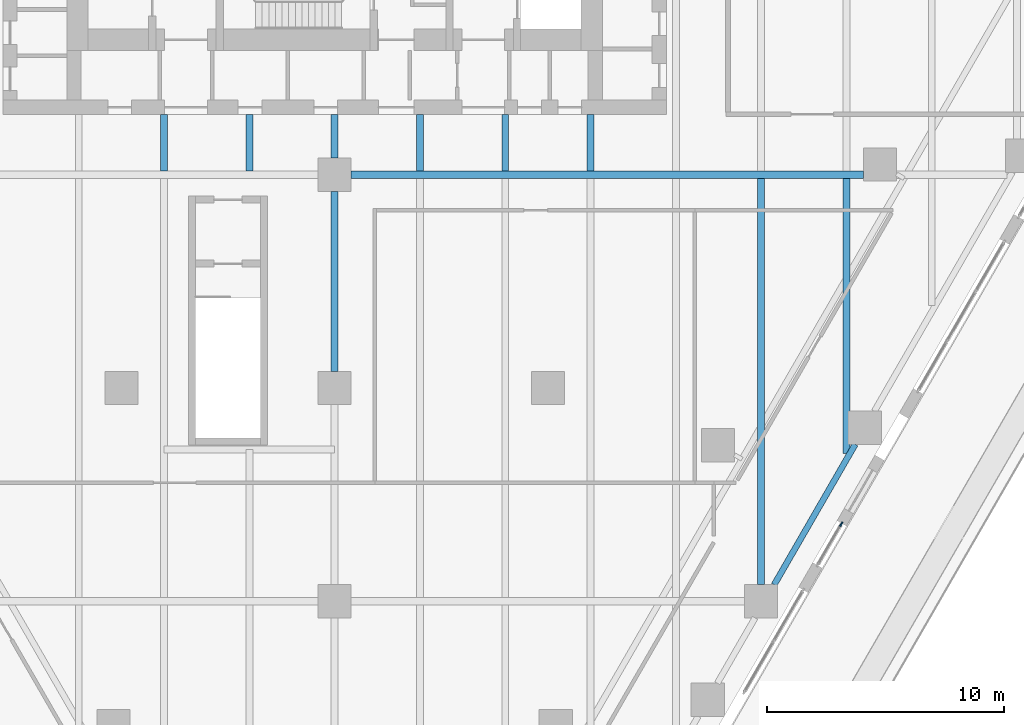
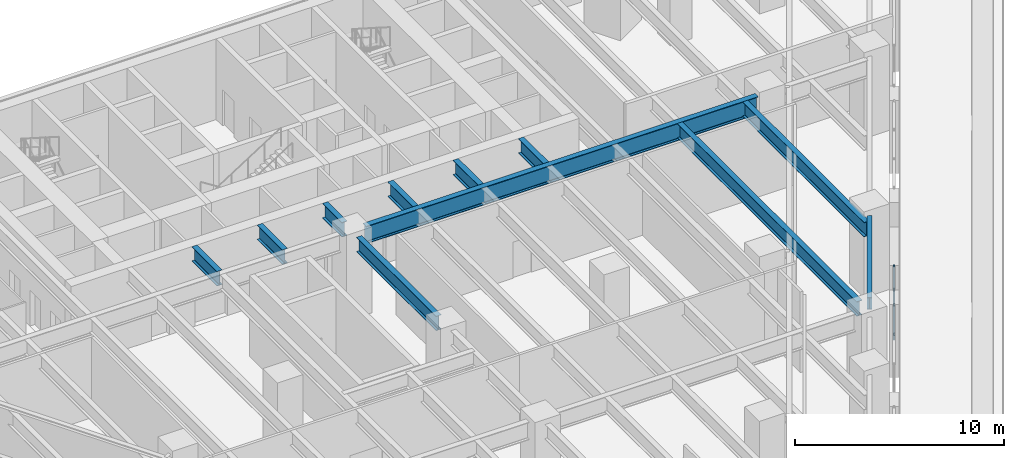
# One storey, part 10 of 31: 11 beams, 1 member, 1 element without a shape of its own.
"""IFC4 building model written with IfcOpenShell, lengths in metres."""

from ifc_helpers import new_model, si_unit, direction, frame, origin, origin_2d, place, context, subcontext, project, spatial, rectangle, i_section, extrude, material, material_profile, profile_set, type_object, element, aggregate, save


model = new_model("IFC4")

# Units and contexts
model_context = context("Model", 3, precision=1e-05, world=origin(), true_north=direction((0.0, 1.0)))
body_context = subcontext(model_context, "Body", "Model", "MODEL_VIEW")
ifc_project = project(units=[si_unit("LENGTHUNIT", "METRE"), si_unit("AREAUNIT", "SQUARE_METRE"), si_unit("VOLUMEUNIT", "CUBIC_METRE"), si_unit("PLANEANGLEUNIT", "RADIAN"), si_unit("MASSUNIT", "GRAM", prefix="KILO")], contexts=[model_context])

# Site, building, storey
site_placement = place(None, origin())
site = spatial("IfcSite", under=ifc_project, at=site_placement, CompositionType="ELEMENT")
building_placement = place(site_placement, origin())
building = spatial("IfcBuilding", under=site, at=building_placement, Name="Aloe Facet Convention Tower", CompositionType="ELEMENT")
storey_placement = place(building_placement, frame((0.0, 0.0, 25.0)))
storey = spatial("IfcBuildingStorey", under=building, at=storey_placement, Name="L04", CompositionType="ELEMENT", Elevation=25.0)

# Curtain wall, member
ifc_material_1 = material(Name="Aluminium, anodised", Category="aluminium")
curtain_wall_type = type_object("IfcCurtainWallType", Name="EV-CW-HALL", PredefinedType="USERDEFINED", material=ifc_material_1)
curtain_wall_placement = place(storey_placement, origin())
curtain_wall = element("IfcCurtainWall", 1, at=curtain_wall_placement, inside=storey, type_object=curtain_wall_type, Name="CW-L04-E10A", ObjectType="UNITISED HALL GLAZING", PredefinedType="USERDEFINED")
ifc_material_2 = material(Name="Aluminium, anodised", Category="aluminium")
ifc_material_profile_1 = material_profile(ifc_material_2, rectangle(XDim=0.06494140625, YDim=0.199951171875, at=origin_2d()), Name="AL 65x200")
ifc_profile_set_1 = profile_set([ifc_material_profile_1], Name="Aluminium, anodised")
member_type = type_object("IfcMemberType", Name="EV-MULL-HALL", PredefinedType="MULLION", material=ifc_profile_set_1)
member_placement = place(storey_placement, frame((101.384033203125, 102.2587890625, -0.25), z_axis=(0.0, 0.0, 1.0), x_axis=(-0.866025403645, 0.500000000242, 0.0)))
member = element("IfcMember", 2, at=member_placement, type_object=member_type, Name="CW-L04-E10A mullion 2", PredefinedType="MULLION", context=body_context, shape_type="SweptSolid", body=[
    extrude(rectangle(XDim=0.06494140625, YDim=0.199951171875, at=origin_2d()), origin(), (0.0, 0.0, 1.0), 4.262451171875),
])
aggregate(curtain_wall, [member])

# Beams
ifc_material_3 = material(Name="Steel S355", Category="steel")
ifc_material_profile_2 = material_profile(ifc_material_3, i_section(OverallWidth=0.305419921875, OverallDepth=1.02587890625, WebThickness=0.02001953125, FlangeThickness=0.031005859375, FilletRadius=0.030029296875, at=origin_2d()), Name="UB 1016x305x349")
ifc_profile_set_2 = profile_set([ifc_material_profile_2], Name="Steel S355")
beam_type_1 = type_object("IfcBeamType", Name="SF-B-UB1016x305x349", PredefinedType="BEAM", material=ifc_profile_set_2)
beam_1_placement = place(storey_placement, frame((80.699951171875, 117.0, 4.18701171875), z_axis=(1.0, 0.0, 0.0), x_axis=(0.0, 1.0, 0.0)))
element("IfcBeam", 3, at=beam_1_placement, inside=storey, type_object=beam_type_1, Name="Floor beam FB-L05-026", PredefinedType="BEAM", context=body_context, shape_type="SweptSolid", body=[
    extrude(i_section(OverallWidth=0.305419921875, OverallDepth=1.02587890625, WebThickness=0.02001953125, FlangeThickness=0.031005859375, FilletRadius=0.030029296875, at=origin_2d()), origin(), (0.0, 0.0, 1.0), 21.615966796875),
])
ifc_material_4 = material(Name="Steel S355", Category="steel")
ifc_material_profile_3 = material_profile(ifc_material_4, i_section(OverallWidth=0.25439453125, OverallDepth=0.6875, WebThickness=0.01318359375, FlangeThickness=0.02099609375, FilletRadius=0.01513671875, at=origin_2d()), Name="UB 686x254x152")
ifc_profile_set_3 = profile_set([ifc_material_profile_3], Name="Steel S355")
beam_type_2 = type_object("IfcBeamType", Name="SF-B-UB686x254x152", PredefinedType="BEAM", material=ifc_profile_set_3)
beam_2_placement = place(storey_placement, frame((101.970703125, 105.625, 4.356201171875), z_axis=(-0.499980899108, -0.866036431408, 0.0), x_axis=(0.866036431408, -0.499980899108, 0.0)))
element("IfcBeam", 4, at=beam_2_placement, inside=storey, type_object=beam_type_2, Name="Floor beam FB-L05-015", PredefinedType="BEAM", context=body_context, shape_type="SweptSolid", body=[
    extrude(i_section(OverallWidth=0.25439453125, OverallDepth=0.6875, WebThickness=0.01318359375, FlangeThickness=0.02099609375, FilletRadius=0.01513671875, at=origin_2d()), origin(), (0.0, 0.0, 1.0), 6.841552734375),
])
ifc_material_5 = material(Name="Steel S355", Category="steel")
ifc_material_profile_4 = material_profile(ifc_material_5, i_section(OverallWidth=0.293701171875, OverallDepth=0.850830078125, WebThickness=0.01611328125, FlangeThickness=0.02685546875, FilletRadius=0.017822265625, at=origin_2d()), Name="UB 838x292x226")
ifc_profile_set_4 = profile_set([ifc_material_profile_4], Name="Steel S355")
beam_type_3 = type_object("IfcBeamType", Name="SF-B-UB838x292x226", PredefinedType="BEAM", material=ifc_profile_set_4)
for number, where, z_axis, x_axis, name in (
    (5, (72.800048828125, 117.152587890625, 4.2744140625), (0.0, 1.0, 0.0), (-1.0, 0.0, 0.0), "Floor beam FB-L05-048"),
    (6, (76.39990234375, 117.152587890625, 4.2744140625), (0.0, 1.0, 0.0), (-1.0, 0.0, 0.0), "Floor beam FB-L05-053"),
):
    element("IfcBeam", number, at=place(storey_placement, frame(where, z_axis=z_axis, x_axis=x_axis)), inside=storey, type_object=beam_type_3, Name=name, PredefinedType="BEAM", context=body_context, shape_type="SweptSolid", body=[
        extrude(i_section(OverallWidth=0.293701171875, OverallDepth=0.850830078125, WebThickness=0.01611328125, FlangeThickness=0.02685546875, FilletRadius=0.017822265625, at=origin_2d()), origin(), (0.0, 0.0, 1.0), 2.3974609375),
    ])
beam_3_placement = place(storey_placement, frame((80.0, 108.699951171875, 4.2744140625), z_axis=(0.0, 1.0, 0.0), x_axis=(-1.0, 0.0, 0.0)))
element("IfcBeam", 7, at=beam_3_placement, inside=storey, type_object=beam_type_3, Name="Floor beam FB-L05-057", PredefinedType="BEAM", context=body_context, shape_type="SweptSolid", body=[
    extrude(i_section(OverallWidth=0.293701171875, OverallDepth=0.850830078125, WebThickness=0.01611328125, FlangeThickness=0.02685546875, FilletRadius=0.017822265625, at=origin_2d()), origin(), (0.0, 0.0, 1.0), 7.60009765625),
])
beam_4_placement = place(storey_placement, frame((80.0, 117.699951171875, 4.2744140625), z_axis=(0.0, 1.0, 0.0), x_axis=(-1.0, 0.0, 0.0)))
element("IfcBeam", 8, at=beam_4_placement, inside=storey, type_object=beam_type_3, Name="Floor beam FB-L05-058", PredefinedType="BEAM", context=body_context, shape_type="SweptSolid", body=[
    extrude(i_section(OverallWidth=0.293701171875, OverallDepth=0.850830078125, WebThickness=0.01611328125, FlangeThickness=0.02685546875, FilletRadius=0.017822265625, at=origin_2d()), origin(), (0.0, 0.0, 1.0), 1.85009765625),
])
for number, where, z_axis, x_axis, name in (
    (9, (83.60009765625, 117.152587890625, 4.2744140625), (0.0, 1.0, 0.0), (-1.0, 0.0, 0.0), "Floor beam FB-L05-063"),
    (10, (87.199951171875, 117.152587890625, 4.2744140625), (0.0, 1.0, 0.0), (-1.0, 0.0, 0.0), "Floor beam FB-L05-066"),
    (11, (90.800048828125, 117.152587890625, 4.2744140625), (0.0, 1.0, 0.0), (-1.0, 0.0, 0.0), "Floor beam FB-L05-069"),
):
    element("IfcBeam", number, at=place(storey_placement, frame(where, z_axis=z_axis, x_axis=x_axis)), inside=storey, type_object=beam_type_3, Name=name, PredefinedType="BEAM", context=body_context, shape_type="SweptSolid", body=[
        extrude(i_section(OverallWidth=0.293701171875, OverallDepth=0.850830078125, WebThickness=0.01611328125, FlangeThickness=0.02685546875, FilletRadius=0.017822265625, at=origin_2d()), origin(), (0.0, 0.0, 1.0), 2.3974609375),
    ])
beam_5_placement = place(storey_placement, frame((98.0, 99.699951171875, 4.2744140625), z_axis=(0.0, 1.0, 0.0), x_axis=(-1.0, 0.0, 0.0)))
element("IfcBeam", 12, at=beam_5_placement, inside=storey, type_object=beam_type_3, Name="Floor beam FB-L05-073", PredefinedType="BEAM", context=body_context, shape_type="SweptSolid", body=[
    extrude(i_section(OverallWidth=0.293701171875, OverallDepth=0.850830078125, WebThickness=0.01611328125, FlangeThickness=0.02685546875, FilletRadius=0.017822265625, at=origin_2d()), origin(), (0.0, 0.0, 1.0), 17.1474609375),
])
beam_6_placement = place(storey_placement, frame((101.60009765625, 105.247314453125, 4.2744140625), z_axis=(0.0, 1.0, 0.0), x_axis=(-1.0, 0.0, 0.0)))
element("IfcBeam", 13, at=beam_6_placement, inside=storey, type_object=beam_type_3, Name="Floor beam FB-L05-075", PredefinedType="BEAM", context=body_context, shape_type="SweptSolid", body=[
    extrude(i_section(OverallWidth=0.293701171875, OverallDepth=0.850830078125, WebThickness=0.01611328125, FlangeThickness=0.02685546875, FilletRadius=0.017822265625, at=origin_2d()), origin(), (0.0, 0.0, 1.0), 11.60009765625),
])

save(model, "model.ifc")
